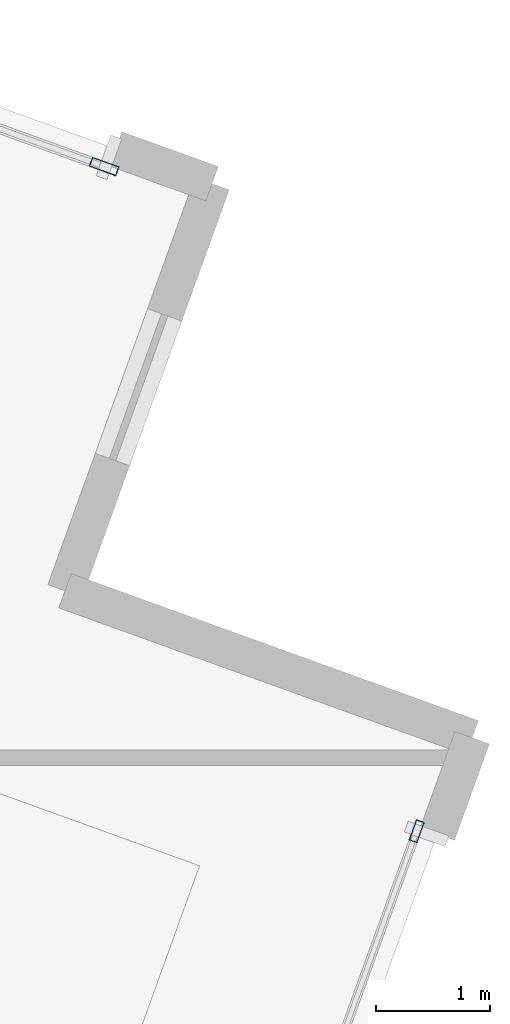
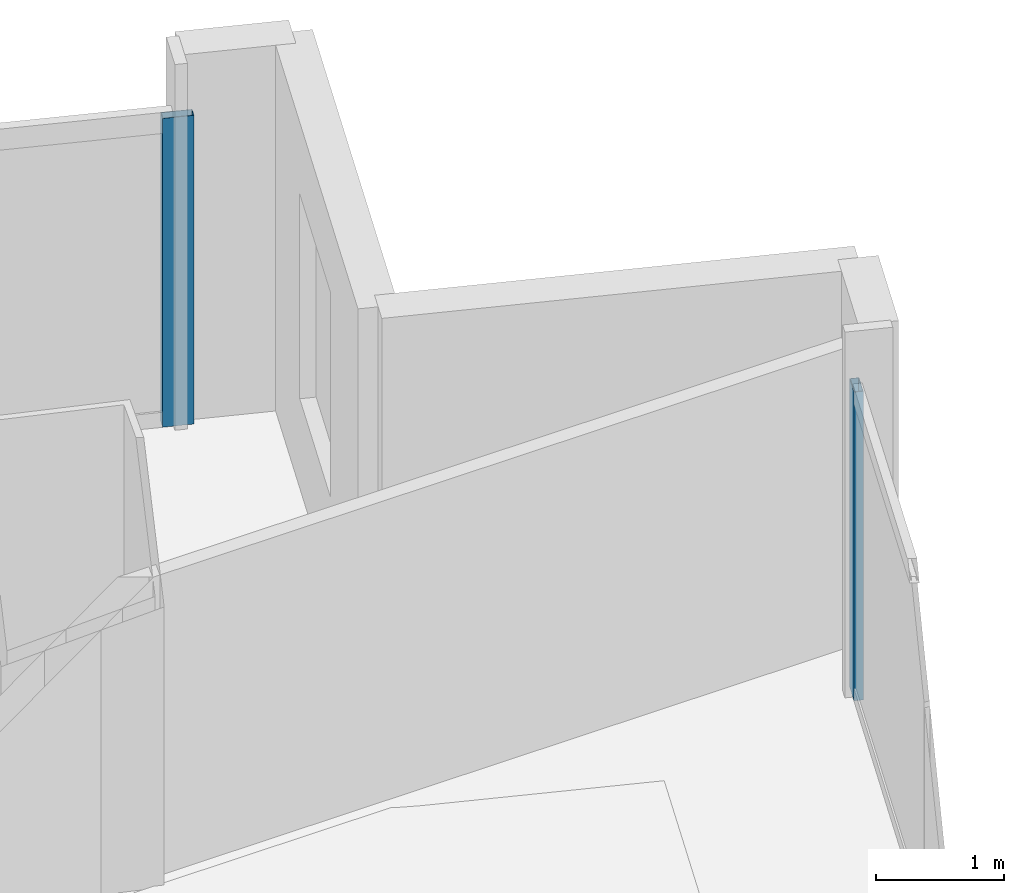
# One storey, part 16 of 27: 2 members, 2 elements without a shape of their own.
"""IFC4 building model written with IfcOpenShell, lengths in metres."""

from ifc_helpers import new_model, si_unit, direction, frame, origin, origin_2d, place, context, subcontext, project, spatial, hollow_rectangle, extrude, material, material_profile, profile_set, type_object, element, aggregate, save


model = new_model("IFC4")

# Units and contexts
model_context = context("Model", 3, precision=1e-05, world=origin(), true_north=direction((0.0, 1.0)))
body_context = subcontext(model_context, "Body", "Model", "MODEL_VIEW")
ifc_project = project(units=[si_unit("LENGTHUNIT", "METRE"), si_unit("AREAUNIT", "SQUARE_METRE"), si_unit("VOLUMEUNIT", "CUBIC_METRE"), si_unit("PLANEANGLEUNIT", "RADIAN"), si_unit("MASSUNIT", "GRAM", prefix="KILO")], contexts=[model_context])

# Site, building, storey
site_placement = place(None, origin())
site = spatial("IfcSite", under=ifc_project, at=site_placement, CompositionType="ELEMENT")
building_placement = place(site_placement, origin())
building = spatial("IfcBuilding", under=site, at=building_placement, Name="Haldenkirk Collegiate Tower", CompositionType="ELEMENT")
storey_placement = place(building_placement, frame((0.0, 0.0, 263.699951171875)))
storey = spatial("IfcBuildingStorey", under=building, at=storey_placement, Name="L66", CompositionType="ELEMENT", Elevation=263.699951171875)

# Curtain wall, member
ifc_material = material(Name="Anodised architectural bronze aluminium", Category="aluminium")
curtain_wall_type_1 = type_object("IfcCurtainWallType", Name="CW-SYS2-CONCAVE", PredefinedType="USERDEFINED", material=ifc_material)
curtain_wall_1_placement = place(storey_placement, origin())
curtain_wall_1 = element("IfcCurtainWall", 1, at=curtain_wall_1_placement, inside=storey, type_object=curtain_wall_type_1, Name="L66 South concave recessed bronze-anodised curtain wall", ObjectType="UNITISED CURTAIN WALL", PredefinedType="USERDEFINED")
ifc_material_profile_1 = material_profile(ifc_material, hollow_rectangle(XDim=0.074951171875, YDim=0.18994140625, WallThickness=0.0048828125, at=origin_2d()), Name="CW-MUL-02")
ifc_profile_set_1 = profile_set([ifc_material_profile_1], Name="Anodised architectural bronze aluminium")
member_type_1 = type_object("IfcMemberType", Name="CW-MUL-02", PredefinedType="MULLION", material=ifc_profile_set_1)
member_1_placement = place(storey_placement, frame((63.80126953125, 35.804931640625, 0.0), z_axis=(0.0, 0.0, 1.0), x_axis=(0.940584906317, -0.339558587006, 0.0)))
member_1 = element("IfcMember", 2, at=member_1_placement, type_object=member_type_1, Name="CW-02 mullion 1", PredefinedType="MULLION", context=body_context, shape_type="SweptSolid", body=[
    extrude(hollow_rectangle(XDim=0.074951171875, YDim=0.18994140625, WallThickness=0.0048828125, at=origin_2d()), origin(), (0.0, 0.0, 1.0), 2.93798828125),
])
aggregate(curtain_wall_1, [member_1])

curtain_wall_type_2 = type_object("IfcCurtainWallType", Name="CW-SYS1B-CONVEX-HI", PredefinedType="USERDEFINED", material=ifc_material)
curtain_wall_2_placement = place(storey_placement, origin())
curtain_wall_2 = element("IfcCurtainWall", 3, at=curtain_wall_2_placement, inside=storey, type_object=curtain_wall_type_2, Name="L66 Upper tower high-wind convex bronze unitised curtain wall", ObjectType="UNITISED CURTAIN WALL", PredefinedType="USERDEFINED")
ifc_material_profile_2 = material_profile(ifc_material, hollow_rectangle(XDim=0.0849609375, YDim=0.25, WallThickness=0.0048828125, at=origin_2d()), Name="CW-MUL-1B")
ifc_profile_set_2 = profile_set([ifc_material_profile_2], Name="Anodised architectural bronze aluminium")
member_type_2 = type_object("IfcMemberType", Name="CW-MUL-1B", PredefinedType="MULLION", material=ifc_profile_set_2)
member_2_placement = place(storey_placement, frame((61.057373046875, 41.640869140625, 0.0), z_axis=(0.0, 0.0, 1.0), x_axis=(0.339556919618, 0.940585508255, 0.0)))
member_2 = element("IfcMember", 4, at=member_2_placement, type_object=member_type_2, Name="CW-1B mullion 4", PredefinedType="MULLION", context=body_context, shape_type="SweptSolid", body=[
    extrude(hollow_rectangle(XDim=0.0849609375, YDim=0.25, WallThickness=0.0048828125, at=origin_2d()), origin(), (0.0, 0.0, 1.0), 2.93798828125),
])
aggregate(curtain_wall_2, [member_2])

save(model, "model.ifc")
